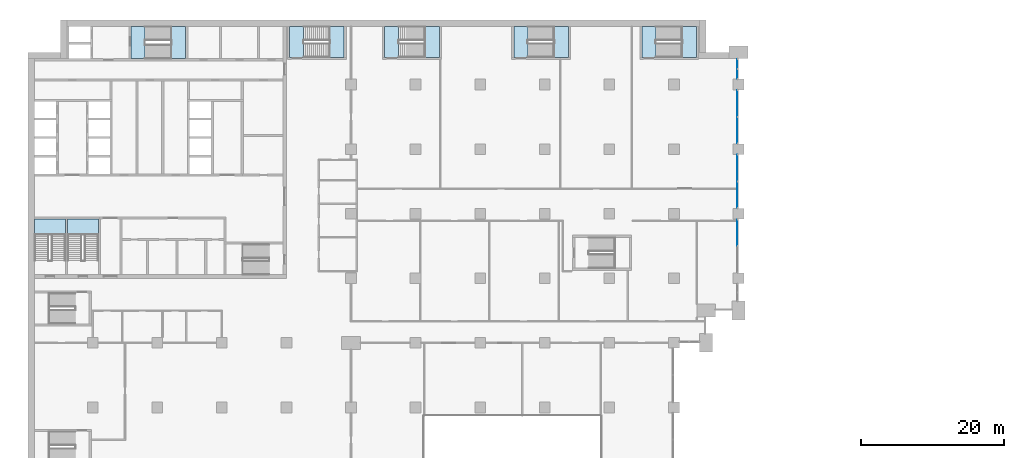
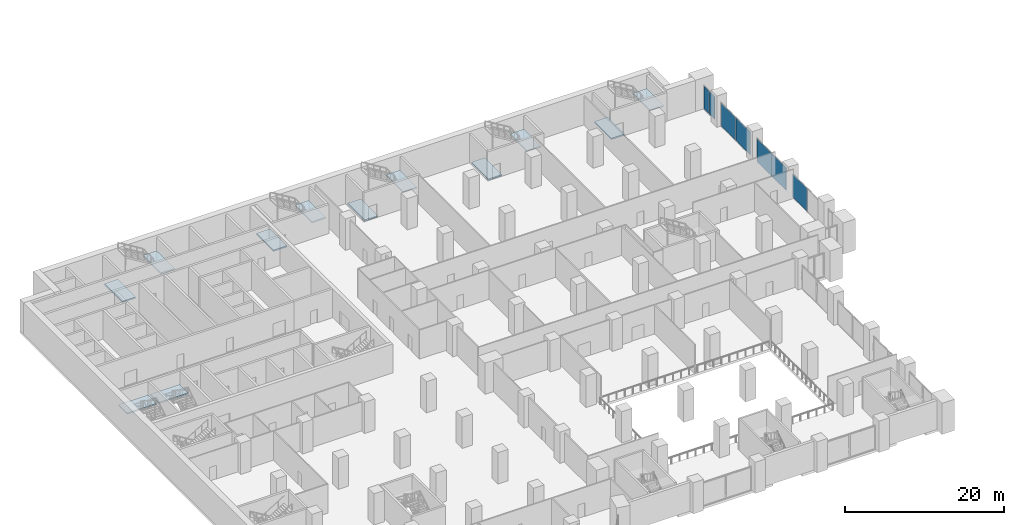
# One storey, part 21 of 49: 12 slabs, 7 plates, 11 elements without a shape of their own.
"""IFC4 building model written with IfcOpenShell, lengths in metres."""

from ifc_helpers import new_model, si_unit, direction, frame, origin, origin_2d, place, context, subcontext, project, spatial, polyline, rectangle, outline, extrude, material, layer, layer_set, type_object, element, aggregate, save


model = new_model("IFC4")

# Units and contexts
model_context = context("Model", 3, precision=1e-05, world=origin(), true_north=direction((0.0, 1.0)))
body_context = subcontext(model_context, "Body", "Model", "MODEL_VIEW")
ifc_project = project(units=[si_unit("LENGTHUNIT", "METRE"), si_unit("AREAUNIT", "SQUARE_METRE"), si_unit("VOLUMEUNIT", "CUBIC_METRE"), si_unit("PLANEANGLEUNIT", "RADIAN"), si_unit("MASSUNIT", "GRAM", prefix="KILO")], contexts=[model_context])

# Site, building, storey
site_placement = place(None, origin())
site = spatial("IfcSite", under=ifc_project, at=site_placement, CompositionType="ELEMENT")
building_placement = place(site_placement, origin())
building = spatial("IfcBuilding", under=site, at=building_placement, Name="Hunhe Ridgeline Campus", CompositionType="ELEMENT")
storey_placement = place(building_placement, frame((0.0, 0.0, 21.60009765625)))
storey = spatial("IfcBuildingStorey", under=building, at=storey_placement, Name="L04", CompositionType="ELEMENT", Elevation=21.60009765625)

# Curtain wall, plate
ifc_material_1 = material(Name="Aluminium and glass", Category="aluminium")
curtain_wall_type = type_object("IfcCurtainWallType", Name="Podium curtain wall CW-2", PredefinedType="NOTDEFINED", material=ifc_material_1)
curtain_wall_1_placement = place(storey_placement, origin())
curtain_wall_1 = element("IfcCurtainWall", 1, at=curtain_wall_1_placement, inside=storey, type_object=curtain_wall_type, Name="L04 podium curtain wall 5", PredefinedType="NOTDEFINED")
ifc_material_2 = material(Name="Clear glass", Category="glass")
ifc_layer_1 = layer(ifc_material_2, 0.028076171875)
ifc_layer_set_1 = layer_set([ifc_layer_1], Name="CW-2 clear glass panel 28")
plate_type = type_object("IfcPlateType", Name="CW-2 clear glass panel 28", PredefinedType="CURTAIN_PANEL", material=ifc_layer_set_1)
plate_1_placement = place(storey_placement, frame((98.85009765625, 69.360107421875, 0.06005859375), z_axis=(0.0, 0.0, 1.0), x_axis=(0.0, 1.0, 0.0)))
plate_1 = element("IfcPlate", 2, at=plate_1_placement, type_object=plate_type, Name="CW2 panel 2.1", PredefinedType="CURTAIN_PANEL", context=body_context, shape_type="SweptSolid", body=[
    extrude(rectangle(XDim=3.659912109375, YDim=0.028076171875, at=origin_2d()), origin(), (0.0, 0.0, 1.0), 3.530029296875),
])
aggregate(curtain_wall_1, [plate_1])

# Curtain wall, plates
curtain_wall_2_placement = place(storey_placement, origin())
curtain_wall_2 = element("IfcCurtainWall", 3, at=curtain_wall_2_placement, inside=storey, type_object=curtain_wall_type, Name="L04 podium curtain wall 6", PredefinedType="NOTDEFINED")
plate_2_placement = place(storey_placement, frame((98.85009765625, 74.639892578125, 0.06005859375), z_axis=(0.0, 0.0, 1.0), x_axis=(0.0, 1.0, 0.0)))
plate_2 = element("IfcPlate", 4, at=plate_2_placement, type_object=plate_type, Name="CW2 panel 1.1", PredefinedType="CURTAIN_PANEL", context=body_context, shape_type="SweptSolid", body=[
    extrude(rectangle(XDim=3.659912109375, YDim=0.028076171875, at=origin_2d()), origin(), (0.0, 0.0, 1.0), 3.530029296875),
])
plate_3_placement = place(storey_placement, frame((98.85009765625, 78.360107421875, 0.06005859375), z_axis=(0.0, 0.0, 1.0), x_axis=(0.0, 1.0, 0.0)))
plate_3 = element("IfcPlate", 5, at=plate_3_placement, type_object=plate_type, Name="CW2 panel 2.1", PredefinedType="CURTAIN_PANEL", context=body_context, shape_type="SweptSolid", body=[
    extrude(rectangle(XDim=3.659912109375, YDim=0.028076171875, at=origin_2d()), origin(), (0.0, 0.0, 1.0), 3.530029296875),
])
aggregate(curtain_wall_2, [plate_2, plate_3])

curtain_wall_3_placement = place(storey_placement, origin())
curtain_wall_3 = element("IfcCurtainWall", 6, at=curtain_wall_3_placement, inside=storey, type_object=curtain_wall_type, Name="L04 podium curtain wall 7", PredefinedType="NOTDEFINED")
plate_4_placement = place(storey_placement, frame((98.85009765625, 83.639892578125, 0.06005859375), z_axis=(0.0, 0.0, 1.0), x_axis=(0.0, 1.0, 0.0)))
plate_4 = element("IfcPlate", 7, at=plate_4_placement, type_object=plate_type, Name="CW2 panel 1.1", PredefinedType="CURTAIN_PANEL", context=body_context, shape_type="SweptSolid", body=[
    extrude(rectangle(XDim=3.659912109375, YDim=0.028076171875, at=origin_2d()), origin(), (0.0, 0.0, 1.0), 3.530029296875),
])
plate_5_placement = place(storey_placement, frame((98.85009765625, 87.360107421875, 0.06005859375), z_axis=(0.0, 0.0, 1.0), x_axis=(0.0, 1.0, 0.0)))
plate_5 = element("IfcPlate", 8, at=plate_5_placement, type_object=plate_type, Name="CW2 panel 2.1", PredefinedType="CURTAIN_PANEL", context=body_context, shape_type="SweptSolid", body=[
    extrude(rectangle(XDim=3.659912109375, YDim=0.028076171875, at=origin_2d()), origin(), (0.0, 0.0, 1.0), 3.530029296875),
])
aggregate(curtain_wall_3, [plate_4, plate_5])

curtain_wall_4_placement = place(storey_placement, origin())
curtain_wall_4 = element("IfcCurtainWall", 9, at=curtain_wall_4_placement, inside=storey, type_object=curtain_wall_type, Name="L04 podium curtain wall 8", PredefinedType="NOTDEFINED")
plate_6_placement = place(storey_placement, frame((98.85009765625, 91.4775390625, 0.06005859375), z_axis=(0.0, 0.0, 1.0), x_axis=(0.0, 1.0, 0.0)))
plate_6 = element("IfcPlate", 10, at=plate_6_placement, type_object=plate_type, Name="CW2 panel 1.1", PredefinedType="CURTAIN_PANEL", context=body_context, shape_type="SweptSolid", body=[
    extrude(rectangle(XDim=1.3349609375, YDim=0.028076171875, at=origin_2d()), origin(), (0.0, 0.0, 1.0), 3.530029296875),
])
plate_7_placement = place(storey_placement, frame((98.85009765625, 92.87255859375, 0.06005859375), z_axis=(0.0, 0.0, 1.0), x_axis=(0.0, 1.0, 0.0)))
plate_7 = element("IfcPlate", 11, at=plate_7_placement, type_object=plate_type, Name="CW2 panel 2.1", PredefinedType="CURTAIN_PANEL", context=body_context, shape_type="SweptSolid", body=[
    extrude(rectangle(XDim=1.3349609375, YDim=0.028076171875, at=origin_2d()), origin(), (0.0, 0.0, 1.0), 3.530029296875),
])
aggregate(curtain_wall_4, [plate_6, plate_7])

# Stair, slab
ifc_material_3 = material(Name="Concrete C40", Category="concrete")
stair_type = type_object("IfcStairType", Name="Reinforced concrete dog-leg stair 1950 Concrete C40", PredefinedType="HALF_TURN_STAIR", material=ifc_material_3)
stair_1_placement = place(storey_placement, origin())
stair_1 = element("IfcStair", 12, at=stair_1_placement, inside=storey, type_object=stair_type, Name="L04 S1", PredefinedType="HALF_TURN_STAIR")
ifc_layer_2 = layer(ifc_material_3, 0.199951171875)
ifc_layer_set_2 = layer_set([ifc_layer_2], Name="Reinforced concrete stair landing 200 Concrete C40")
slab_type = type_object("IfcSlabType", Name="Reinforced concrete stair landing 200 Concrete C40", PredefinedType="LANDING", material=ifc_layer_set_2)
slab_1_placement = place(storey_placement, frame((0.0, 0.0, 2.199951171875)))
slab_1 = element("IfcSlab", 13, at=slab_1_placement, type_object=slab_type, Name="ST1 landing 1", PredefinedType="LANDING", context=body_context, shape_type="SweptSolid", body=[
    extrude(outline(polyline([(19.93994140625, 93.60009765625), (21.949951171875, 93.60009765625), (21.949951171875, 98.10009765625), (19.93994140625, 98.10009765625), (19.93994140625, 93.60009765625)])), origin(), (0.0, 0.0, 1.0), 0.199951171875),
])
aggregate(stair_1, [slab_1])

# Slab
slab_2_placement = place(storey_placement, frame((0.0, 0.0, -0.2001953125)))
element("IfcSlab", 14, at=slab_2_placement, inside=storey, type_object=slab_type, Name="L04 stair S1 floor landing", PredefinedType="LANDING", context=body_context, shape_type="SweptSolid", body=[
    extrude(outline(polyline([(14.35009765625, 93.60009765625), (16.300048828125, 93.60009765625), (16.300048828125, 98.10009765625), (14.35009765625, 98.10009765625), (14.35009765625, 93.60009765625)])), origin(), (0.0, 0.0, 1.0), 0.2001953125),
])

# Stair, slab
stair_2_placement = place(storey_placement, origin())
stair_2 = element("IfcStair", 15, at=stair_2_placement, inside=storey, type_object=stair_type, Name="L04 S3", PredefinedType="HALF_TURN_STAIR")
slab_3_placement = place(storey_placement, frame((0.0, 0.0, 2.199951171875)))
slab_3 = element("IfcSlab", 16, at=slab_3_placement, type_object=slab_type, Name="ST3 landing 1", PredefinedType="LANDING", context=body_context, shape_type="SweptSolid", body=[
    extrude(outline(polyline([(5.199951171875, 69.090087890625), (5.199951171875, 71.25), (0.89990234375, 71.25), (0.89990234375, 69.090087890625), (5.199951171875, 69.090087890625)])), origin(), (0.0, 0.0, 1.0), 0.199951171875),
])
aggregate(stair_2, [slab_3])

stair_3_placement = place(storey_placement, origin())
stair_3 = element("IfcStair", 17, at=stair_3_placement, inside=storey, type_object=stair_type, Name="L04 S4", PredefinedType="HALF_TURN_STAIR")
slab_4_placement = place(storey_placement, frame((0.0, 0.0, 2.199951171875)))
slab_4 = element("IfcSlab", 18, at=slab_4_placement, type_object=slab_type, Name="ST4 landing 1", PredefinedType="LANDING", context=body_context, shape_type="SweptSolid", body=[
    extrude(outline(polyline([(9.800048828125, 69.090087890625), (9.800048828125, 71.25), (5.5, 71.25), (5.5, 69.090087890625), (9.800048828125, 69.090087890625)])), origin(), (0.0, 0.0, 1.0), 0.199951171875),
])
aggregate(stair_3, [slab_4])

stair_4_placement = place(storey_placement, origin())
stair_4 = element("IfcStair", 19, at=stair_4_placement, inside=storey, type_object=stair_type, Name="L04 E1", PredefinedType="HALF_TURN_STAIR")
slab_5_placement = place(storey_placement, frame((0.0, 0.0, 2.199951171875)))
slab_5 = element("IfcSlab", 20, at=slab_5_placement, type_object=slab_type, Name="ST5 landing 1", PredefinedType="LANDING", context=body_context, shape_type="SweptSolid", body=[
    extrude(outline(polyline([(42.0400390625, 93.800048828125), (44.050048828125, 93.800048828125), (44.050048828125, 98.10009765625), (42.0400390625, 98.10009765625), (42.0400390625, 93.800048828125)])), origin(), (0.0, 0.0, 1.0), 0.199951171875),
])
aggregate(stair_4, [slab_5])

# Slab
slab_6_placement = place(storey_placement, frame((0.0, 0.0, -0.2001953125)))
element("IfcSlab", 21, at=slab_6_placement, inside=storey, type_object=slab_type, Name="L04 stair E1 floor landing", PredefinedType="LANDING", context=body_context, shape_type="SweptSolid", body=[
    extrude(outline(polyline([(36.449951171875, 93.800048828125), (38.39990234375, 93.800048828125), (38.39990234375, 98.10009765625), (36.449951171875, 98.10009765625), (36.449951171875, 93.800048828125)])), origin(), (0.0, 0.0, 1.0), 0.2001953125),
])

# Stair, slab
stair_5_placement = place(storey_placement, origin())
stair_5 = element("IfcStair", 22, at=stair_5_placement, inside=storey, type_object=stair_type, Name="L04 E2", PredefinedType="HALF_TURN_STAIR")
slab_7_placement = place(storey_placement, frame((0.0, 0.0, 2.199951171875)))
slab_7 = element("IfcSlab", 23, at=slab_7_placement, type_object=slab_type, Name="ST6 landing 1", PredefinedType="LANDING", context=body_context, shape_type="SweptSolid", body=[
    extrude(outline(polyline([(55.2900390625, 93.800048828125), (57.300048828125, 93.800048828125), (57.300048828125, 98.10009765625), (55.2900390625, 98.10009765625), (55.2900390625, 93.800048828125)])), origin(), (0.0, 0.0, 1.0), 0.199951171875),
])
aggregate(stair_5, [slab_7])

# Slab
slab_8_placement = place(storey_placement, frame((0.0, 0.0, -0.2001953125)))
element("IfcSlab", 24, at=slab_8_placement, inside=storey, type_object=slab_type, Name="L04 stair E2 floor landing", PredefinedType="LANDING", context=body_context, shape_type="SweptSolid", body=[
    extrude(outline(polyline([(49.699951171875, 93.800048828125), (51.64990234375, 93.800048828125), (51.64990234375, 98.10009765625), (49.699951171875, 98.10009765625), (49.699951171875, 93.800048828125)])), origin(), (0.0, 0.0, 1.0), 0.2001953125),
])

# Stair, slab
stair_6_placement = place(storey_placement, origin())
stair_6 = element("IfcStair", 25, at=stair_6_placement, inside=storey, type_object=stair_type, Name="L04 E3", PredefinedType="HALF_TURN_STAIR")
slab_9_placement = place(storey_placement, frame((0.0, 0.0, 2.199951171875)))
slab_9 = element("IfcSlab", 26, at=slab_9_placement, type_object=slab_type, Name="ST7 landing 1", PredefinedType="LANDING", context=body_context, shape_type="SweptSolid", body=[
    extrude(outline(polyline([(73.2900390625, 93.800048828125), (75.300048828125, 93.800048828125), (75.300048828125, 98.10009765625), (73.2900390625, 98.10009765625), (73.2900390625, 93.800048828125)])), origin(), (0.0, 0.0, 1.0), 0.199951171875),
])
aggregate(stair_6, [slab_9])

# Slab
slab_10_placement = place(storey_placement, frame((0.0, 0.0, -0.2001953125)))
element("IfcSlab", 27, at=slab_10_placement, inside=storey, type_object=slab_type, Name="L04 stair E3 floor landing", PredefinedType="LANDING", context=body_context, shape_type="SweptSolid", body=[
    extrude(outline(polyline([(67.699951171875, 93.800048828125), (69.64990234375, 93.800048828125), (69.64990234375, 98.10009765625), (67.699951171875, 98.10009765625), (67.699951171875, 93.800048828125)])), origin(), (0.0, 0.0, 1.0), 0.2001953125),
])

# Stair, slab
stair_7_placement = place(storey_placement, origin())
stair_7 = element("IfcStair", 28, at=stair_7_placement, inside=storey, type_object=stair_type, Name="L04 E4", PredefinedType="HALF_TURN_STAIR")
slab_11_placement = place(storey_placement, frame((0.0, 0.0, 2.199951171875)))
slab_11 = element("IfcSlab", 29, at=slab_11_placement, type_object=slab_type, Name="ST8 landing 1", PredefinedType="LANDING", context=body_context, shape_type="SweptSolid", body=[
    extrude(outline(polyline([(91.139892578125, 93.800048828125), (93.14990234375, 93.800048828125), (93.14990234375, 98.10009765625), (91.139892578125, 98.10009765625), (91.139892578125, 93.800048828125)])), origin(), (0.0, 0.0, 1.0), 0.199951171875),
])
aggregate(stair_7, [slab_11])

# Slab
slab_12_placement = place(storey_placement, frame((0.0, 0.0, -0.2001953125)))
element("IfcSlab", 30, at=slab_12_placement, inside=storey, type_object=slab_type, Name="L04 stair E4 floor landing", PredefinedType="LANDING", context=body_context, shape_type="SweptSolid", body=[
    extrude(outline(polyline([(85.550048828125, 93.800048828125), (87.5, 93.800048828125), (87.5, 98.10009765625), (85.550048828125, 98.10009765625), (85.550048828125, 93.800048828125)])), origin(), (0.0, 0.0, 1.0), 0.2001953125),
])

save(model, "model.ifc")
